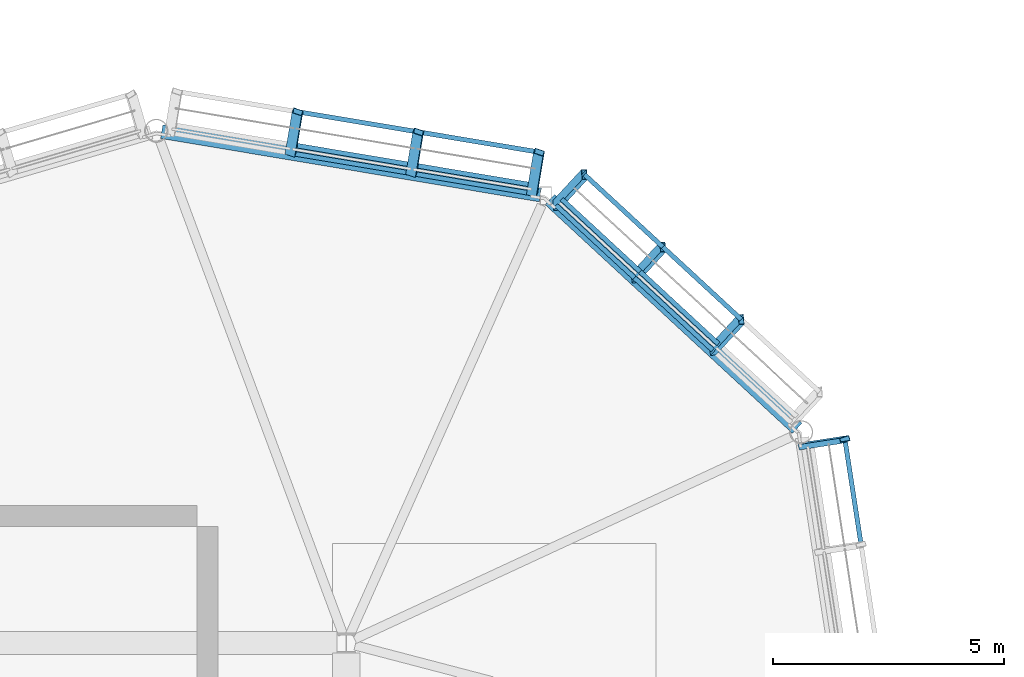
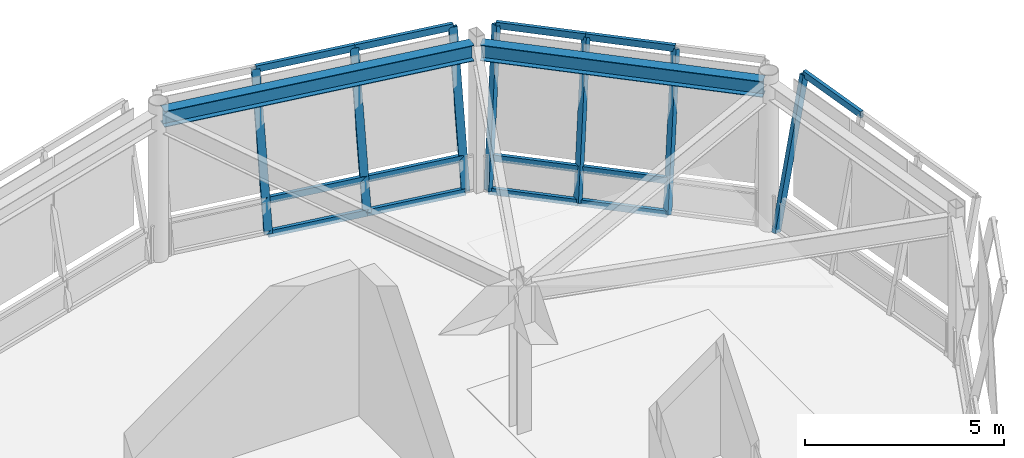
# One storey, part 58 of 94: 20 members, 2 beams, 3 elements without a shape of their own.
"""IFC4 building model written with IfcOpenShell, lengths in metres."""

from ifc_helpers import new_model, si_unit, direction, frame, origin, origin_2d, place, context, subcontext, project, spatial, hollow_rectangle, i_section, extrude, material, material_profile, profile_set, type_object, element, aggregate, save


model = new_model("IFC4")

# Units and contexts
model_context = context("Model", 3, precision=1e-05, world=origin(), true_north=direction((0.0, 1.0)))
body_context = subcontext(model_context, "Body", "Model", "MODEL_VIEW")
ifc_project = project(units=[si_unit("LENGTHUNIT", "METRE"), si_unit("AREAUNIT", "SQUARE_METRE"), si_unit("VOLUMEUNIT", "CUBIC_METRE"), si_unit("PLANEANGLEUNIT", "RADIAN"), si_unit("MASSUNIT", "GRAM", prefix="KILO")], contexts=[model_context])

# Site, building, storey
site_placement = place(None, origin())
site = spatial("IfcSite", under=ifc_project, at=site_placement, CompositionType="ELEMENT")
building_placement = place(site_placement, origin())
building = spatial("IfcBuilding", under=site, at=building_placement, Name="Linyun Crest Stadium", CompositionType="ELEMENT")
storey_placement = place(building_placement, frame((0.0, 0.0, 16.199951171875)))
storey = spatial("IfcBuildingStorey", under=building, at=storey_placement, Name="L04", CompositionType="ELEMENT", Elevation=16.199951171875)

# Beams
ifc_material_1 = material(Name="Steel Q355C", Category="steel")
ifc_material_profile_1 = material_profile(ifc_material_1, i_section(OverallWidth=0.300048828125, OverallDepth=0.488037109375, WebThickness=0.010986328125, FlangeThickness=0.01806640625, at=origin_2d()), Name="HM 488x300")
ifc_profile_set_1 = profile_set([ifc_material_profile_1], Name="Steel Q355C")
beam_type = type_object("IfcBeamType", Name="B08", PredefinedType="BEAM", material=ifc_profile_set_1)
beam_1_placement = place(storey_placement, frame((89.7470703125, 93.39111328125, 4.276123046875), z_axis=(-0.734193861678, 0.678939889441, 0.0), x_axis=(-0.678939889441, -0.734193861678, 0.0)))
element("IfcBeam", 1, at=beam_1_placement, inside=storey, type_object=beam_type, Name="Pod ring girder B08 L04 121", PredefinedType="BEAM", context=body_context, shape_type="SweptSolid", body=[
    extrude(i_section(OverallWidth=0.300048828125, OverallDepth=0.488037109375, WebThickness=0.010986328125, FlangeThickness=0.01806640625, at=origin_2d()), origin(), (0.0, 0.0, 1.0), 7.28173828125),
])
beam_2_placement = place(storey_placement, frame((84.195068359375, 98.43603515625, 4.276123046875), z_axis=(-0.986275969976, 0.165105151487, 0.0), x_axis=(-0.165105151487, -0.986275969976, 0.0)))
element("IfcBeam", 2, at=beam_2_placement, inside=storey, type_object=beam_type, Name="Pod ring girder B08 L04 123", PredefinedType="BEAM", context=body_context, shape_type="SweptSolid", body=[
    extrude(i_section(OverallWidth=0.300048828125, OverallDepth=0.488037109375, WebThickness=0.010986328125, FlangeThickness=0.01806640625, at=origin_2d()), origin(), (0.0, 0.0, 1.0), 8.296875),
])

# Curtain wall, members
ifc_material_2 = material(Name="Verdigris steel and low-E curtain wall assembly", Category="steel")
curtain_wall_type = type_object("IfcCurtainWallType", Name="MCW04", PredefinedType="NOTDEFINED", material=ifc_material_2)
curtain_wall_1_placement = place(storey_placement, origin())
curtain_wall_1 = element("IfcCurtainWall", 3, at=curtain_wall_1_placement, inside=storey, type_object=curtain_wall_type, Name="CWR-037", PredefinedType="NOTDEFINED")
ifc_material_3 = material(Name="Verdigris painted steel Q355C pod mullion", Category="steel")
ifc_material_profile_2 = material_profile(ifc_material_3, hollow_rectangle(XDim=0.1201171875, YDim=0.219970703125, WallThickness=0.008056640625, at=origin_2d()), Name="RHS 220x120x8")
ifc_profile_set_2 = profile_set([ifc_material_profile_2], Name="Verdigris painted steel Q355C pod mullion")
member_type_1 = type_object("IfcMemberType", Name="ML04", PredefinedType="MULLION", material=ifc_profile_set_2)
member_1_placement = place(storey_placement, frame((87.9208984375, 95.080078125, 0.0), z_axis=(0.135391596953, 0.146334499401, 0.979926185873), x_axis=(0.98694150652, 0.06719346801, -0.146395015502)))
member_1 = element("IfcMember", 4, at=member_1_placement, type_object=member_type_1, Name="CWR-037 mullion 2", PredefinedType="MULLION", context=body_context, shape_type="SweptSolid", body=[
    extrude(hollow_rectangle(XDim=0.1201171875, YDim=0.219970703125, WallThickness=0.008056640625, at=origin_2d()), origin(), (0.0, 0.0, 1.0), 4.55126953125),
])
member_2_placement = place(storey_placement, frame((86.22705078125, 96.64599609375, 0.0), z_axis=(0.135338938, 0.146335561976, 0.979933301384), x_axis=(0.986931761781, 0.067392260663, -0.146369330089)))
member_2 = element("IfcMember", 5, at=member_2_placement, type_object=member_type_1, Name="CWR-037 mullion 3", PredefinedType="MULLION", context=body_context, shape_type="SweptSolid", body=[
    extrude(hollow_rectangle(XDim=0.1201171875, YDim=0.219970703125, WallThickness=0.008056640625, at=origin_2d()), origin(), (0.0, 0.0, 1.0), 4.55126953125),
])
member_3_placement = place(storey_placement, frame((84.532958984375, 98.2119140625, 0.0), z_axis=(0.135338938, 0.146335561976, 0.979933301384), x_axis=(0.986931761781, 0.067392260663, -0.146369330089)))
member_3 = element("IfcMember", 6, at=member_3_placement, type_object=member_type_1, Name="CWR-037 mullion 4", PredefinedType="MULLION", context=body_context, shape_type="SweptSolid", body=[
    extrude(hollow_rectangle(XDim=0.1201171875, YDim=0.219970703125, WallThickness=0.008056640625, at=origin_2d()), origin(), (0.0, 0.0, 1.0), 4.55126953125),
])

curtain_wall_2_placement = place(storey_placement, origin())
curtain_wall_2 = element("IfcCurtainWall", 7, at=curtain_wall_2_placement, inside=storey, type_object=curtain_wall_type, Name="CWR-038", PredefinedType="NOTDEFINED")
member_4_placement = place(storey_placement, frame((84.01708984375, 98.466064453125, 0.0), z_axis=(0.03293580154, 0.196649264568, 0.979920557863), x_axis=(0.322427792745, 0.925941462392, -0.196653824495)))
member_4 = element("IfcMember", 8, at=member_4_placement, type_object=member_type_1, Name="CWR-038 mullion 1", PredefinedType="MULLION", context=body_context, shape_type="SweptSolid", body=[
    extrude(hollow_rectangle(XDim=0.1201171875, YDim=0.219970703125, WallThickness=0.008056640625, at=origin_2d()), origin(), (0.0, 0.0, 1.0), 4.55126953125),
])
member_5_placement = place(storey_placement, frame((81.407958984375, 98.903076171875, 0.0), z_axis=(0.03298938458, 0.196648916861, 0.979918825211), x_axis=(0.322673171426, 0.925854197234, -0.196662222875)))
member_5 = element("IfcMember", 9, at=member_5_placement, type_object=member_type_1, Name="CWR-038 mullion 2", PredefinedType="MULLION", context=body_context, shape_type="SweptSolid", body=[
    extrude(hollow_rectangle(XDim=0.1201171875, YDim=0.219970703125, WallThickness=0.008056640625, at=origin_2d()), origin(), (0.0, 0.0, 1.0), 4.55126953125),
])
member_6_placement = place(storey_placement, frame((78.799072265625, 99.339111328125, 0.0), z_axis=(0.032936148922, 0.196597696743, 0.979930893344), x_axis=(0.32247063597, 0.925937182787, -0.196603719367)))
member_6 = element("IfcMember", 10, at=member_6_placement, type_object=member_type_1, Name="CWR-038 mullion 3", PredefinedType="MULLION", context=body_context, shape_type="SweptSolid", body=[
    extrude(hollow_rectangle(XDim=0.1201171875, YDim=0.219970703125, WallThickness=0.008056640625, at=origin_2d()), origin(), (0.0, 0.0, 1.0), 4.55126953125),
])

# Curtain wall, member
curtain_wall_3_placement = place(storey_placement, origin())
curtain_wall_3 = element("IfcCurtainWall", 11, at=curtain_wall_3_placement, inside=storey, type_object=curtain_wall_type, Name="CWR-048", PredefinedType="NOTDEFINED")
member_7_placement = place(storey_placement, frame((89.881103515625, 93.012939453125, 0.0), z_axis=(0.197078126457, 0.030307333002, 0.979919219956), x_axis=(0.297564133026, -0.954219848117, -0.030332625933)))
member_7 = element("IfcMember", 12, at=member_7_placement, type_object=member_type_1, Name="CWR-048 mullion 4", PredefinedType="MULLION", context=body_context, shape_type="SweptSolid", body=[
    extrude(hollow_rectangle(XDim=0.1201171875, YDim=0.219970703125, WallThickness=0.008056640625, at=origin_2d()), origin(), (0.0, 0.0, 1.0), 4.55126953125),
])

# Member
ifc_material_4 = material(Name="Verdigris painted steel Q355C transom", Category="steel")
ifc_material_profile_3 = material_profile(ifc_material_4, hollow_rectangle(XDim=0.10009765625, YDim=0.199951171875, WallThickness=0.008056640625, at=origin_2d()), Name="RHS 200x100x8")
ifc_profile_set_3 = profile_set([ifc_material_profile_3], Name="Verdigris painted steel Q355C transom")
member_type_2 = type_object("IfcMemberType", Name="TR03", PredefinedType="USERDEFINED", material=ifc_profile_set_3)
member_8_placement = place(storey_placement, frame((87.9208984375, 95.080078125, 0.0), z_axis=(-0.73429197574, 0.678833775208, 0.0), x_axis=(-0.678833775208, -0.73429197574, 0.0)))
member_8 = element("IfcMember", 13, at=member_8_placement, type_object=member_type_2, Name="CWR-037 transom 2.1", ObjectType="TRANSOM", PredefinedType="USERDEFINED", context=body_context, shape_type="SweptSolid", body=[
    extrude(hollow_rectangle(XDim=0.10009765625, YDim=0.199951171875, WallThickness=0.008056640625, at=origin_2d()), origin(), (0.0, 0.0, 1.0), 2.306884765625),
])

member_9_placement = place(storey_placement, frame((88.044921875, 95.214111328125, 0.900146484375), z_axis=(-0.73429197574, 0.678833775208, 0.0), x_axis=(-0.678833775208, -0.73429197574, 0.0)))
member_9 = element("IfcMember", 14, at=member_9_placement, type_object=member_type_2, Name="CWR-037 transom 2.2", ObjectType="TRANSOM", PredefinedType="USERDEFINED", context=body_context, shape_type="SweptSolid", body=[
    extrude(hollow_rectangle(XDim=0.10009765625, YDim=0.199951171875, WallThickness=0.008056640625, at=origin_2d()), origin(), (0.0, 0.0, 1.0), 2.306884765625),
])

member_10_placement = place(storey_placement, frame((88.537109375, 95.74609375, 4.4599609375), z_axis=(-0.734340741023, 0.678781022182, 0.0), x_axis=(-0.678781022182, -0.734340741023, 0.0)))
member_10 = element("IfcMember", 15, at=member_10_placement, type_object=member_type_2, Name="CWR-037 transom 2.3", ObjectType="TRANSOM", PredefinedType="USERDEFINED", context=body_context, shape_type="SweptSolid", body=[
    extrude(hollow_rectangle(XDim=0.10009765625, YDim=0.199951171875, WallThickness=0.008056640625, at=origin_2d()), origin(), (0.0, 0.0, 1.0), 2.306884765625),
])

member_11_placement = place(storey_placement, frame((86.22705078125, 96.64599609375, 0.0), z_axis=(-0.734340741023, 0.678781022182, 0.0), x_axis=(-0.678781022182, -0.734340741023, 0.0)))
member_11 = element("IfcMember", 16, at=member_11_placement, type_object=member_type_2, Name="CWR-037 transom 3.1", ObjectType="TRANSOM", PredefinedType="USERDEFINED", context=body_context, shape_type="SweptSolid", body=[
    extrude(hollow_rectangle(XDim=0.10009765625, YDim=0.199951171875, WallThickness=0.008056640625, at=origin_2d()), origin(), (0.0, 0.0, 1.0), 2.306884765625),
])

member_12_placement = place(storey_placement, frame((86.35107421875, 96.780029296875, 0.900146484375), z_axis=(-0.734340741023, 0.678781022182, 0.0), x_axis=(-0.678781022182, -0.734340741023, 0.0)))
member_12 = element("IfcMember", 17, at=member_12_placement, type_object=member_type_2, Name="CWR-037 transom 3.2", ObjectType="TRANSOM", PredefinedType="USERDEFINED", context=body_context, shape_type="SweptSolid", body=[
    extrude(hollow_rectangle(XDim=0.10009765625, YDim=0.199951171875, WallThickness=0.008056640625, at=origin_2d()), origin(), (0.0, 0.0, 1.0), 2.306884765625),
])

member_13_placement = place(storey_placement, frame((86.843017578125, 97.31201171875, 4.4599609375), z_axis=(-0.734340741023, 0.678781022182, 0.0), x_axis=(-0.678781022182, -0.734340741023, 0.0)))
member_13 = element("IfcMember", 18, at=member_13_placement, type_object=member_type_2, Name="CWR-037 transom 3.3", ObjectType="TRANSOM", PredefinedType="USERDEFINED", context=body_context, shape_type="SweptSolid", body=[
    extrude(hollow_rectangle(XDim=0.10009765625, YDim=0.199951171875, WallThickness=0.008056640625, at=origin_2d()), origin(), (0.0, 0.0, 1.0), 2.306884765625),
])

aggregate(curtain_wall_1, [member_1, member_2, member_3, member_8, member_9, member_10, member_11, member_12, member_13])

member_14_placement = place(storey_placement, frame((84.01708984375, 98.466064453125, 0.0), z_axis=(-0.986261411357, 0.165192095661, 0.0), x_axis=(-0.165192095661, -0.986261411357, 0.0)))
member_14 = element("IfcMember", 19, at=member_14_placement, type_object=member_type_2, Name="CWR-038 transom 1.1", ObjectType="TRANSOM", PredefinedType="USERDEFINED", context=body_context, shape_type="SweptSolid", body=[
    extrude(hollow_rectangle(XDim=0.10009765625, YDim=0.199951171875, WallThickness=0.008056640625, at=origin_2d()), origin(), (0.0, 0.0, 1.0), 2.6455078125),
])

member_15_placement = place(storey_placement, frame((84.047119140625, 98.64697265625, 0.900146484375), z_axis=(-0.986321491601, 0.164832991859, 0.0), x_axis=(-0.164832991859, -0.986321491601, 0.0)))
member_15 = element("IfcMember", 20, at=member_15_placement, type_object=member_type_2, Name="CWR-038 transom 1.2", ObjectType="TRANSOM", PredefinedType="USERDEFINED", context=body_context, shape_type="SweptSolid", body=[
    extrude(hollow_rectangle(XDim=0.10009765625, YDim=0.199951171875, WallThickness=0.008056640625, at=origin_2d()), origin(), (0.0, 0.0, 1.0), 2.645263671875),
])

member_16_placement = place(storey_placement, frame((84.1669921875, 99.361083984375, 4.4599609375), z_axis=(-0.98625889267, 0.165207132499, 0.0), x_axis=(-0.165207132499, -0.98625889267, 0.0)))
member_16 = element("IfcMember", 21, at=member_16_placement, type_object=member_type_2, Name="CWR-038 transom 1.3", ObjectType="TRANSOM", PredefinedType="USERDEFINED", context=body_context, shape_type="SweptSolid", body=[
    extrude(hollow_rectangle(XDim=0.10009765625, YDim=0.199951171875, WallThickness=0.008056640625, at=origin_2d()), origin(), (0.0, 0.0, 1.0), 2.645263671875),
])

member_17_placement = place(storey_placement, frame((81.407958984375, 98.903076171875, 0.0), z_axis=(-0.986318983701, 0.164847997837, 0.0), x_axis=(-0.164847997837, -0.986318983701, 0.0)))
member_17 = element("IfcMember", 22, at=member_17_placement, type_object=member_type_2, Name="CWR-038 transom 2.1", ObjectType="TRANSOM", PredefinedType="USERDEFINED", context=body_context, shape_type="SweptSolid", body=[
    extrude(hollow_rectangle(XDim=0.10009765625, YDim=0.199951171875, WallThickness=0.008056640625, at=origin_2d()), origin(), (0.0, 0.0, 1.0), 2.64501953125),
])

member_18_placement = place(storey_placement, frame((81.43798828125, 99.0830078125, 0.900146484375), z_axis=(-0.98625889267, 0.165207132499, 0.0), x_axis=(-0.165207132499, -0.98625889267, 0.0)))
member_18 = element("IfcMember", 23, at=member_18_placement, type_object=member_type_2, Name="CWR-038 transom 2.2", ObjectType="TRANSOM", PredefinedType="USERDEFINED", context=body_context, shape_type="SweptSolid", body=[
    extrude(hollow_rectangle(XDim=0.10009765625, YDim=0.199951171875, WallThickness=0.008056640625, at=origin_2d()), origin(), (0.0, 0.0, 1.0), 2.645263671875),
])

member_19_placement = place(storey_placement, frame((81.55810546875, 99.798095703125, 4.4599609375), z_axis=(-0.986336492374, 0.16474320566, 0.0), x_axis=(-0.16474320566, -0.986336492374, 0.0)))
member_19 = element("IfcMember", 24, at=member_19_placement, type_object=member_type_2, Name="CWR-038 transom 2.3", ObjectType="TRANSOM", PredefinedType="USERDEFINED", context=body_context, shape_type="SweptSolid", body=[
    extrude(hollow_rectangle(XDim=0.10009765625, YDim=0.199951171875, WallThickness=0.008056640625, at=origin_2d()), origin(), (0.0, 0.0, 1.0), 2.645263671875),
])

aggregate(curtain_wall_2, [member_4, member_5, member_6, member_14, member_15, member_16, member_17, member_18, member_19])

member_20_placement = place(storey_placement, frame((91.12890625, 90.8720703125, 4.4599609375), z_axis=(-0.152160622849, 0.98835577848, 0.0), x_axis=(-0.98835577848, -0.152160622849, 0.0)))
member_20 = element("IfcMember", 25, at=member_20_placement, type_object=member_type_2, Name="CWR-048 transom 3.3", ObjectType="TRANSOM", PredefinedType="USERDEFINED", context=body_context, shape_type="SweptSolid", body=[
    extrude(hollow_rectangle(XDim=0.10009765625, YDim=0.199951171875, WallThickness=0.008056640625, at=origin_2d()), origin(), (0.0, 0.0, 1.0), 2.3056640625),
])

aggregate(curtain_wall_3, [member_7, member_20])

save(model, "model.ifc")
